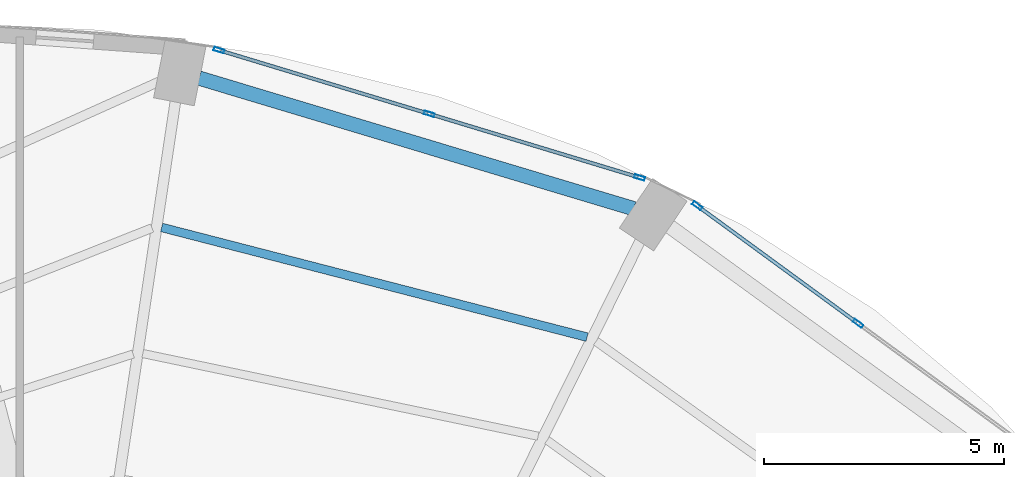
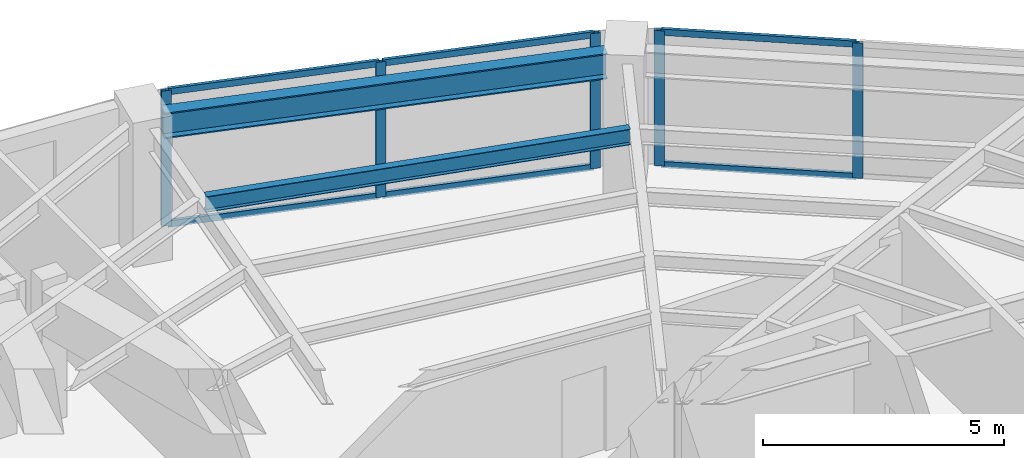
# One storey, part 17 of 24: 11 members, 2 beams, 2 elements without a shape of their own.
"""IFC4 building model written with IfcOpenShell, lengths in metres."""

from ifc_helpers import new_model, si_unit, direction, frame, origin, origin_2d, place, context, subcontext, project, spatial, hollow_rectangle, i_section, extrude, material, layer, layer_set, material_profile, profile_set, type_object, element, aggregate, save


model = new_model("IFC4")

# Units and contexts
model_context = context("Model", 3, precision=1e-05, world=origin(), true_north=direction((0.0, 1.0)))
body_context = subcontext(model_context, "Body", "Model", "MODEL_VIEW")
ifc_project = project(units=[si_unit("LENGTHUNIT", "METRE"), si_unit("AREAUNIT", "SQUARE_METRE"), si_unit("VOLUMEUNIT", "CUBIC_METRE"), si_unit("PLANEANGLEUNIT", "RADIAN"), si_unit("MASSUNIT", "GRAM", prefix="KILO")], contexts=[model_context])

# Site, building, storey
site_placement = place(None, origin())
site = spatial("IfcSite", under=ifc_project, at=site_placement, CompositionType="ELEMENT")
building_placement = place(site_placement, origin())
building = spatial("IfcBuilding", under=site, at=building_placement, Name="Lazwardi Medical Tower", CompositionType="ELEMENT")
storey_placement = place(building_placement, frame((0.0, 0.0, 58.031982421875)))
storey = spatial("IfcBuildingStorey", under=building, at=storey_placement, Name="L14", CompositionType="ELEMENT", Elevation=58.031982421875)

# Beams
ifc_material_1 = material(Name="Steel S355", Category="steel")
ifc_material_profile_1 = material_profile(ifc_material_1, i_section(OverallWidth=0.300048828125, OverallDepth=0.64990234375, WebThickness=0.01611328125, FlangeThickness=0.031005859375, at=origin_2d()), Name="HEB 650")
ifc_profile_set_1 = profile_set([ifc_material_profile_1], Name="Steel S355")
beam_type_1 = type_object("IfcBeamType", Name="BM-RB-Z1", PredefinedType="BEAM", material=ifc_profile_set_1)
beam_1_placement = place(storey_placement, frame((50.77880859375, 47.0048828125, 3.10302734375), z_axis=(-0.957695289269, 0.287784177662, 0.0), x_axis=(-0.287784177662, -0.957695289269, 0.0)))
element("IfcBeam", 1, at=beam_1_placement, inside=storey, type_object=beam_type_1, Name="Ring beam RB-02 B07 L14", PredefinedType="BEAM", context=body_context, shape_type="SweptSolid", body=[
    extrude(i_section(OverallWidth=0.300048828125, OverallDepth=0.64990234375, WebThickness=0.01611328125, FlangeThickness=0.031005859375, at=origin_2d()), origin(), (0.0, 0.0, 1.0), 9.445556640625),
])
ifc_material_profile_2 = material_profile(ifc_material_1, i_section(OverallWidth=0.179931640625, OverallDepth=0.39990234375, WebThickness=0.008544921875, FlangeThickness=0.013427734375, at=origin_2d()), Name="IPE 400")
ifc_profile_set_2 = profile_set([ifc_material_profile_2], Name="Steel S355")
beam_type_2 = type_object("IfcBeamType", Name="BM-SJ-01", PredefinedType="JOIST", material=ifc_profile_set_2)
beam_2_placement = place(storey_placement, frame((49.804931640625, 44.333251953125, 3.22802734375), z_axis=(-0.968316918308, 0.249724539682, 0.0), x_axis=(-0.249724539682, -0.968316918308, 0.0)))
element("IfcBeam", 2, at=beam_2_placement, inside=storey, type_object=beam_type_2, Name="Secondary joist SJ-01 R1 B07 L14", PredefinedType="JOIST", context=body_context, shape_type="SweptSolid", body=[
    extrude(i_section(OverallWidth=0.179931640625, OverallDepth=0.39990234375, WebThickness=0.008544921875, FlangeThickness=0.013427734375, at=origin_2d()), origin(), (0.0, 0.0, 1.0), 9.140869140625),
])

# Curtain wall, members
ifc_material_2 = material(Name="Anodised bronze aluminium and solar control glazing", Category="aluminium")
ifc_layer = layer(ifc_material_2, 0.199951171875)
ifc_layer_set = layer_set([ifc_layer], Name="Anodised bronze aluminium and solar control glazing")
curtain_wall_type = type_object("IfcCurtainWallType", Name="CW-SYS-02", PredefinedType="NOTDEFINED", material=ifc_layer_set)
curtain_wall_1_placement = place(storey_placement, origin())
curtain_wall_1 = element("IfcCurtainWall", 3, at=curtain_wall_1_placement, inside=storey, type_object=curtain_wall_type, Name="L14 Unitised bronze curtain wall CW-02", PredefinedType="NOTDEFINED")
ifc_material_3 = material(Name="Anodised bronze aluminium", Category="aluminium")
ifc_material_profile_3 = material_profile(ifc_material_3, hollow_rectangle(XDim=0.074951171875, YDim=0.219970703125, WallThickness=0.00390625, at=origin_2d()), Name="ALU-MULLION 220x75x4")
ifc_profile_set_3 = profile_set([ifc_material_profile_3], Name="Anodised bronze aluminium")
member_type_1 = type_object("IfcMemberType", Name="CW-MUL-01", PredefinedType="MULLION", material=ifc_profile_set_3)
member_1_placement = place(storey_placement, frame((55.4443359375, 44.619384765625, 0.0), z_axis=(0.0, 0.0, 1.0), x_axis=(-0.590289307341, -0.807191757663, 0.0)))
member_1 = element("IfcMember", 4, at=member_1_placement, type_object=member_type_1, Name="CW-02 mullion 2", PredefinedType="MULLION", context=body_context, shape_type="SweptSolid", body=[
    extrude(hollow_rectangle(XDim=0.074951171875, YDim=0.219970703125, WallThickness=0.00390625, at=origin_2d()), origin(), (0.0, 0.0, 1.0), 3.427978515625),
])
member_2_placement = place(storey_placement, frame((52.0986328125, 47.066162109375, 0.0), z_axis=(0.0, 0.0, 1.0), x_axis=(-0.590289307341, -0.807191757663, 0.0)))
member_2 = element("IfcMember", 5, at=member_2_placement, type_object=member_type_1, Name="CW-02 mullion 3", PredefinedType="MULLION", context=body_context, shape_type="SweptSolid", body=[
    extrude(hollow_rectangle(XDim=0.074951171875, YDim=0.219970703125, WallThickness=0.00390625, at=origin_2d()), origin(), (0.0, 0.0, 1.0), 3.427978515625),
])

curtain_wall_2_placement = place(storey_placement, origin())
curtain_wall_2 = element("IfcCurtainWall", 6, at=curtain_wall_2_placement, inside=storey, type_object=curtain_wall_type, Name="L14 Unitised bronze curtain wall CW-02", PredefinedType="NOTDEFINED")
member_3_placement = place(storey_placement, frame((50.8984375, 47.653076171875, 0.0), z_axis=(0.0, 0.0, 1.0), x_axis=(-0.2898956909, -0.957058247129, 0.0)))
member_3 = element("IfcMember", 7, at=member_3_placement, type_object=member_type_1, Name="CW-02 mullion 1", PredefinedType="MULLION", context=body_context, shape_type="SweptSolid", body=[
    extrude(hollow_rectangle(XDim=0.074951171875, YDim=0.219970703125, WallThickness=0.00390625, at=origin_2d()), origin(), (0.0, 0.0, 1.0), 3.427978515625),
])
member_4_placement = place(storey_placement, frame((46.523193359375, 48.978515625, 0.0), z_axis=(0.0, 0.0, 1.0), x_axis=(-0.2898956909, -0.957058247129, 0.0)))
member_4 = element("IfcMember", 8, at=member_4_placement, type_object=member_type_1, Name="CW-02 mullion 2", PredefinedType="MULLION", context=body_context, shape_type="SweptSolid", body=[
    extrude(hollow_rectangle(XDim=0.074951171875, YDim=0.219970703125, WallThickness=0.00390625, at=origin_2d()), origin(), (0.0, 0.0, 1.0), 3.427978515625),
])
member_5_placement = place(storey_placement, frame((42.14794921875, 50.3037109375, 0.0), z_axis=(0.0, 0.0, 1.0), x_axis=(-0.2898956909, -0.957058247129, 0.0)))
member_5 = element("IfcMember", 9, at=member_5_placement, type_object=member_type_1, Name="CW-02 mullion 3", PredefinedType="MULLION", context=body_context, shape_type="SweptSolid", body=[
    extrude(hollow_rectangle(XDim=0.074951171875, YDim=0.219970703125, WallThickness=0.00390625, at=origin_2d()), origin(), (0.0, 0.0, 1.0), 3.427978515625),
])

# Member
ifc_material_profile_4 = material_profile(ifc_material_3, hollow_rectangle(XDim=0.074951171875, YDim=0.159912109375, WallThickness=0.00390625, at=origin_2d()), Name="ALU-TRANSOM 160x75x4")
ifc_profile_set_4 = profile_set([ifc_material_profile_4], Name="Anodised bronze aluminium")
member_type_2 = type_object("IfcMemberType", Name="CW-TRN-01", PredefinedType="USERDEFINED", material=ifc_profile_set_4)
member_6_placement = place(storey_placement, frame((55.4140625, 44.641357421875, 0.03759765625), z_axis=(-0.807169053975, 0.590320352271, 0.0), x_axis=(-0.590320352271, -0.807169053975, 0.0)))
member_6 = element("IfcMember", 10, at=member_6_placement, type_object=member_type_2, Name="CW-02 transom 2.1", ObjectType="TRANSOM", PredefinedType="USERDEFINED", context=body_context, shape_type="SweptSolid", body=[
    extrude(hollow_rectangle(XDim=0.074951171875, YDim=0.159912109375, WallThickness=0.00390625, at=origin_2d()), origin(), (0.0, 0.0, 1.0), 4.070068359375),
])

member_7_placement = place(storey_placement, frame((55.4140625, 44.641357421875, 3.390625), z_axis=(-0.807169053975, 0.590320352271, 0.0), x_axis=(-0.590320352271, -0.807169053975, 0.0)))
member_7 = element("IfcMember", 11, at=member_7_placement, type_object=member_type_2, Name="CW-02 transom 2.2", ObjectType="TRANSOM", PredefinedType="USERDEFINED", context=body_context, shape_type="SweptSolid", body=[
    extrude(hollow_rectangle(XDim=0.074951171875, YDim=0.159912109375, WallThickness=0.00390625, at=origin_2d()), origin(), (0.0, 0.0, 1.0), 4.070068359375),
])

aggregate(curtain_wall_1, [member_1, member_2, member_6, member_7])

member_8_placement = place(storey_placement, frame((50.862548828125, 47.6640625, 0.03759765625), z_axis=(-0.957062297904, 0.289882317383, 0.0), x_axis=(-0.289882317383, -0.957062297904, 0.0)))
member_8 = element("IfcMember", 12, at=member_8_placement, type_object=member_type_2, Name="CW-02 transom 1.1", ObjectType="TRANSOM", PredefinedType="USERDEFINED", context=body_context, shape_type="SweptSolid", body=[
    extrude(hollow_rectangle(XDim=0.074951171875, YDim=0.159912109375, WallThickness=0.00390625, at=origin_2d()), origin(), (0.0, 0.0, 1.0), 4.49658203125),
])

member_9_placement = place(storey_placement, frame((50.862548828125, 47.6640625, 3.390625), z_axis=(-0.957062297904, 0.289882317383, 0.0), x_axis=(-0.289882317383, -0.957062297904, 0.0)))
member_9 = element("IfcMember", 13, at=member_9_placement, type_object=member_type_2, Name="CW-02 transom 1.2", ObjectType="TRANSOM", PredefinedType="USERDEFINED", context=body_context, shape_type="SweptSolid", body=[
    extrude(hollow_rectangle(XDim=0.074951171875, YDim=0.159912109375, WallThickness=0.00390625, at=origin_2d()), origin(), (0.0, 0.0, 1.0), 4.49658203125),
])

member_10_placement = place(storey_placement, frame((46.4873046875, 48.9892578125, 0.03759765625), z_axis=(-0.957047233423, 0.28993204893, 0.0), x_axis=(-0.28993204893, -0.957047233423, 0.0)))
member_10 = element("IfcMember", 14, at=member_10_placement, type_object=member_type_2, Name="CW-02 transom 2.1", ObjectType="TRANSOM", PredefinedType="USERDEFINED", context=body_context, shape_type="SweptSolid", body=[
    extrude(hollow_rectangle(XDim=0.074951171875, YDim=0.159912109375, WallThickness=0.00390625, at=origin_2d()), origin(), (0.0, 0.0, 1.0), 4.49658203125),
])

member_11_placement = place(storey_placement, frame((46.4873046875, 48.9892578125, 3.390625), z_axis=(-0.957047233423, 0.28993204893, 0.0), x_axis=(-0.28993204893, -0.957047233423, 0.0)))
member_11 = element("IfcMember", 15, at=member_11_placement, type_object=member_type_2, Name="CW-02 transom 2.2", ObjectType="TRANSOM", PredefinedType="USERDEFINED", context=body_context, shape_type="SweptSolid", body=[
    extrude(hollow_rectangle(XDim=0.074951171875, YDim=0.159912109375, WallThickness=0.00390625, at=origin_2d()), origin(), (0.0, 0.0, 1.0), 4.49658203125),
])

aggregate(curtain_wall_2, [member_3, member_4, member_5, member_8, member_9, member_10, member_11])

save(model, "model.ifc")
